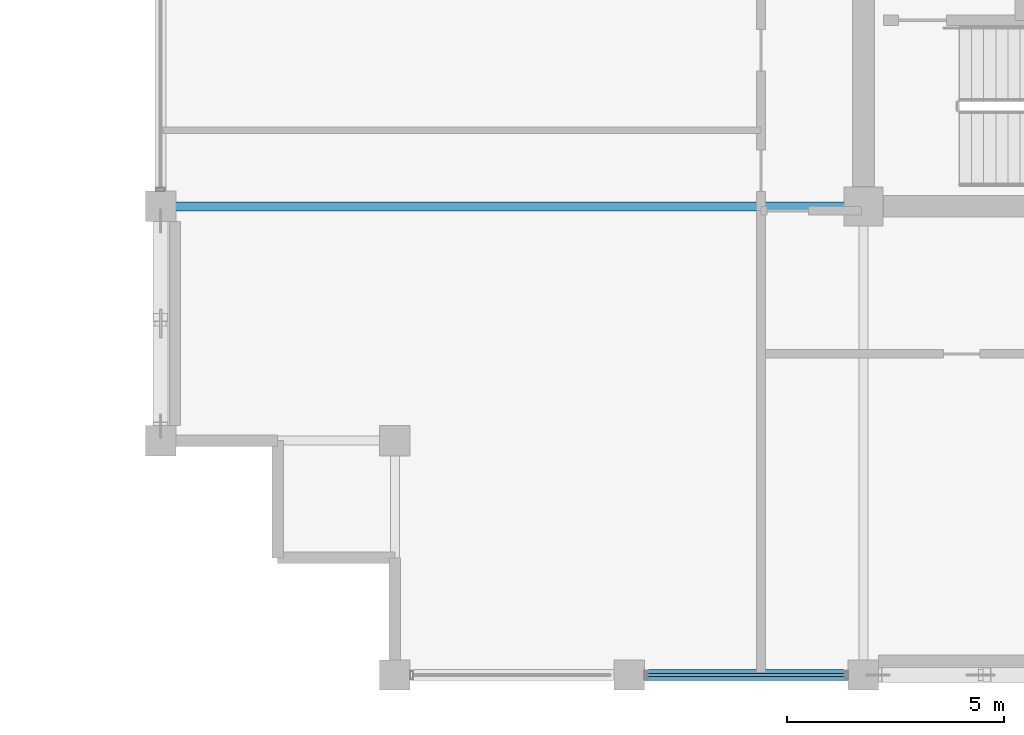
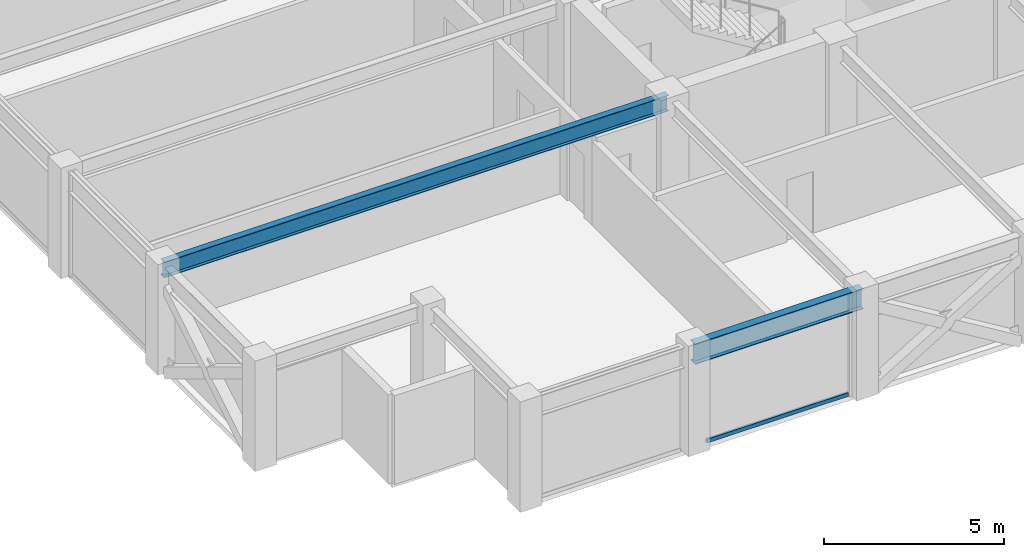
# One storey, part 4 of 29: 2 beams, 1 member, 1 element without a shape of its own.
"""IFC4 building model written with IfcOpenShell, lengths in metres."""

from ifc_helpers import new_model, si_unit, direction, frame, origin, origin_2d, place, context, subcontext, project, spatial, hollow_rectangle, i_section, extrude, material, layer, layer_set, material_profile, profile_set, type_object, element, aggregate, save


model = new_model("IFC4")

# Units and contexts
model_context = context("Model", 3, precision=1e-05, world=origin(), true_north=direction((0.0, 1.0)))
body_context = subcontext(model_context, "Body", "Model", "MODEL_VIEW")
ifc_project = project(units=[si_unit("LENGTHUNIT", "METRE"), si_unit("AREAUNIT", "SQUARE_METRE"), si_unit("VOLUMEUNIT", "CUBIC_METRE"), si_unit("PLANEANGLEUNIT", "RADIAN"), si_unit("MASSUNIT", "GRAM", prefix="KILO")], contexts=[model_context])

# Site, building, storey
site_placement = place(None, origin())
site = spatial("IfcSite", under=ifc_project, at=site_placement, CompositionType="ELEMENT")
building_placement = place(site_placement, origin())
building = spatial("IfcBuilding", under=site, at=building_placement, Name="Surkhivell Harbour Commons", CompositionType="ELEMENT")
storey_placement = place(building_placement, frame((0.0, 0.0, 326.25)))
storey = spatial("IfcBuildingStorey", under=building, at=storey_placement, Name="L85", CompositionType="ELEMENT", Elevation=326.25)

# Beams
ifc_material_1 = material(Name="Steel S355", Category="steel")
ifc_material_profile_1 = material_profile(ifc_material_1, i_section(OverallWidth=0.2099609375, OverallDepth=0.537109375, WebThickness=0.0107421875, FlangeThickness=0.017333984375, at=origin_2d()), Name="UB533x210x101")
ifc_profile_set_1 = profile_set([ifc_material_profile_1], Name="Steel S355")
beam_type_1 = type_object("IfcBeamType", Name="BM-GRD-533B", PredefinedType="BEAM", material=ifc_profile_set_1)
beam_1_placement = place(storey_placement, frame((-27.0, -10.800048828125, 3.301513671875), z_axis=(1.0, 0.0, 0.0), x_axis=(0.0, 1.0, 0.0)))
element("IfcBeam", 1, at=beam_1_placement, inside=storey, type_object=beam_type_1, Name="L85 Floor Girder (-27.0,-10.8)", PredefinedType="BEAM", context=body_context, shape_type="SweptSolid", body=[
    extrude(i_section(OverallWidth=0.2099609375, OverallDepth=0.537109375, WebThickness=0.0107421875, FlangeThickness=0.017333984375, at=origin_2d()), origin(), (0.0, 0.0, 1.0), 16.199951171875),
])
ifc_material_profile_2 = material_profile(ifc_material_1, i_section(OverallWidth=0.256103515625, OverallDepth=0.693115234375, WebThickness=0.014404296875, FlangeThickness=0.023681640625, at=origin_2d()), Name="UB686x254x170")
ifc_profile_set_2 = profile_set([ifc_material_profile_2], Name="Steel S355")
beam_type_2 = type_object("IfcBeamType", Name="BM-SPN-686", PredefinedType="SPANDREL", material=ifc_profile_set_2)
beam_2_placement = place(storey_placement, frame((-16.199951171875, -21.60009765625, 3.223388671875), z_axis=(1.0, 0.0, 0.0), x_axis=(0.0, 1.0, 0.0)))
element("IfcBeam", 2, at=beam_2_placement, inside=storey, type_object=beam_type_2, Name="L85 Tube Spandrel (-16.2,-21.6)", PredefinedType="SPANDREL", context=body_context, shape_type="SweptSolid", body=[
    extrude(i_section(OverallWidth=0.256103515625, OverallDepth=0.693115234375, WebThickness=0.014404296875, FlangeThickness=0.023681640625, at=origin_2d()), origin(), (0.0, 0.0, 1.0), 5.39990234375),
])

# Curtain wall, member
ifc_material_2 = material(Name="Anodised pale-metal aluminium and insulated glazing", Category="aluminium")
ifc_layer = layer(ifc_material_2, 0.175048828125)
ifc_layer_set = layer_set([ifc_layer], Name="Anodised pale-metal aluminium and insulated glazing")
curtain_wall_type = type_object("IfcCurtainWallType", Name="CW-SYS-Z4", PredefinedType="NOTDEFINED", material=ifc_layer_set)
curtain_wall_placement = place(storey_placement, origin())
curtain_wall = element("IfcCurtainWall", 3, at=curtain_wall_placement, inside=storey, type_object=curtain_wall_type, Name="L85 Curtain Wall CW-L85-E00S1", PredefinedType="NOTDEFINED")
ifc_material_3 = material(Name="Champagne anodised aluminium alloy 6063-T6", Category="aluminium")
ifc_material_profile_3 = material_profile(ifc_material_3, hollow_rectangle(XDim=0.070068359375, YDim=0.1298828125, WallThickness=0.00341796875, at=origin_2d()), Name="ALU-TRAN-70x130")
ifc_profile_set_3 = profile_set([ifc_material_profile_3], Name="Champagne anodised aluminium alloy 6063-T6")
member_type = type_object("IfcMemberType", Name="CWT-130", PredefinedType="USERDEFINED", material=ifc_profile_set_3)
member_placement = place(storey_placement, frame((-15.77294921875, -21.60009765625, 0.06494140625), z_axis=(1.0, 0.0, 0.0), x_axis=(0.0, 1.0, 0.0)))
member = element("IfcMember", 4, at=member_placement, type_object=member_type, Name="CW-Z4 transom 2.1", ObjectType="TRANSOM", PredefinedType="USERDEFINED", context=body_context, shape_type="SweptSolid", body=[
    extrude(hollow_rectangle(XDim=0.070068359375, YDim=0.1298828125, WallThickness=0.00341796875, at=origin_2d()), origin(), (0.0, 0.0, 1.0), 4.5458984375),
])
aggregate(curtain_wall, [member])

save(model, "model.ifc")
